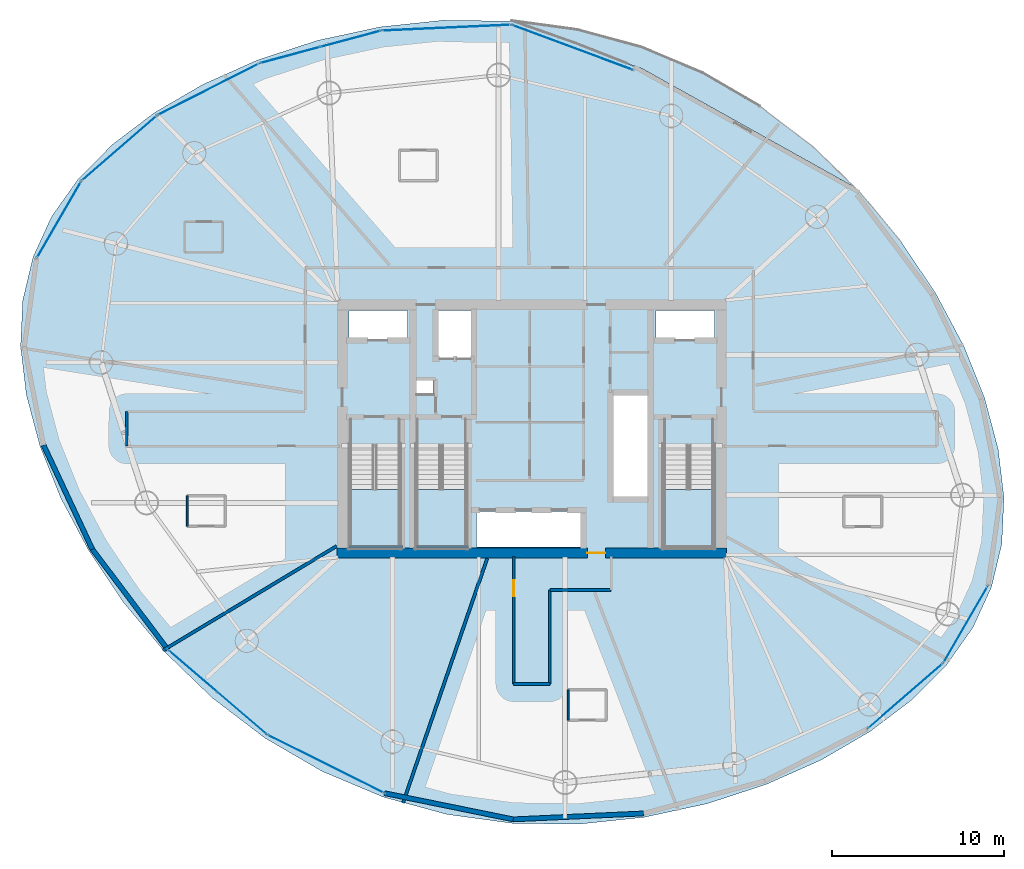
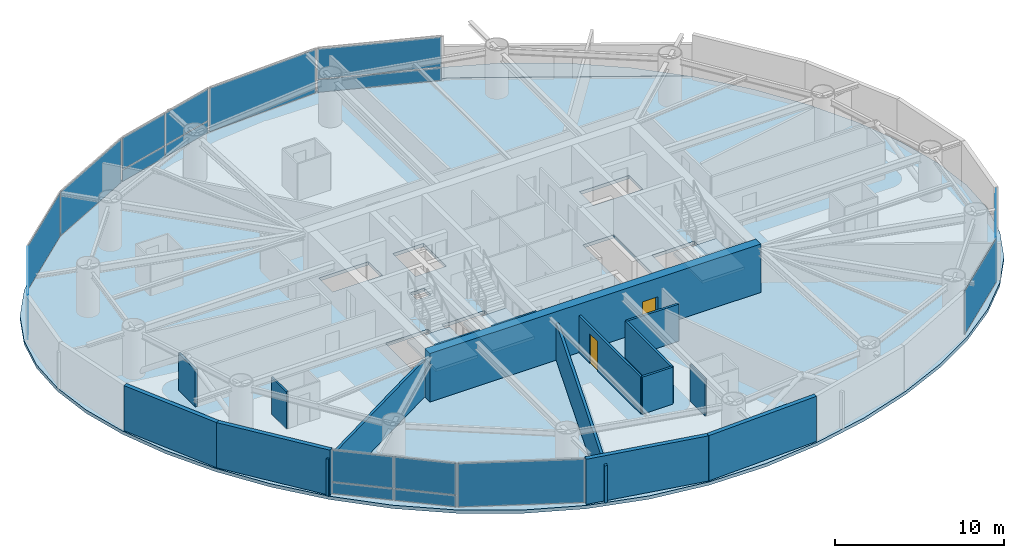
# One storey, part 13 of 19: 17 plates, 16 walls, 5 slabs, 2 doors, 2 openings, 13 elements without a shape of their own.
"""IFC4 building model written with IfcOpenShell, lengths in metres."""

from ifc_helpers import new_model, si_unit, direction, frame, frame_2d, origin, origin_2d, place, context, subcontext, project, spatial, polyline, rectangle, outline, extrude, material, layer, layer_set, type_object, element, fill, aggregate, save


model = new_model("IFC4")

# Units and contexts
model_context = context("Model", 3, precision=1e-05, world=origin(), true_north=direction((0.0, 1.0)))
body_context = subcontext(model_context, "Body", "Model", "MODEL_VIEW")
ifc_project = project(units=[si_unit("LENGTHUNIT", "METRE"), si_unit("AREAUNIT", "SQUARE_METRE"), si_unit("VOLUMEUNIT", "CUBIC_METRE"), si_unit("PLANEANGLEUNIT", "RADIAN"), si_unit("MASSUNIT", "GRAM", prefix="KILO")], contexts=[model_context])

# Site, building, storey
site_placement = place(None, origin())
site = spatial("IfcSite", under=ifc_project, at=site_placement, CompositionType="ELEMENT")
building_placement = place(site_placement, origin())
building = spatial("IfcBuilding", under=site, at=building_placement, Name="Bramvorn Convention Spire", CompositionType="ELEMENT")
storey_placement = place(building_placement, frame((0.0, 0.0, 109.800048828125)))
storey = spatial("IfcBuildingStorey", under=building, at=storey_placement, Name="L26", CompositionType="ELEMENT", Elevation=109.800048828125)

# Curtain wall, plate
ifc_material_1 = material(Name="Anodised Bronze Unitised Curtain Wall", Category="aluminium")
ifc_layer_1 = layer(ifc_material_1, 0.179931640625)
ifc_layer_set_1 = layer_set([ifc_layer_1], Name="Anodised Bronze Unitised Curtain Wall - CW-HTL-FRIT")
curtain_wall_type_1 = type_object("IfcCurtainWallType", Name="CW-HTL-FRIT", PredefinedType="USERDEFINED", material=ifc_layer_set_1)
curtain_wall_1_placement = place(storey_placement, origin())
curtain_wall_1 = element("IfcCurtainWall", 1, at=curtain_wall_1_placement, inside=storey, type_object=curtain_wall_type_1, Name="L26 fritted glass curtain wall 08", ObjectType="UNITISED CURTAIN WALL", PredefinedType="USERDEFINED")
ifc_material_2 = material(Name="Laminated Low-E Glass (Triple IGU Tapered Ceramic Frit 40%)", Category="glass")
ifc_layer_2 = layer(ifc_material_2, 0.0380859375)
ifc_layer_set_2 = layer_set([ifc_layer_2], Name="Laminated Low-E Glass (Triple IGU Tapered Ceramic Frit 40%) - PNL-IGU-2")
plate_type_1 = type_object("IfcPlateType", Name="PNL-IGU-2", PredefinedType="CURTAIN_PANEL", material=ifc_layer_set_2)
plate_1_placement = place(storey_placement, frame((33.0322265625, 49.26416015625, 0.06005859375), z_axis=(0.0, 0.0, 1.0), x_axis=(0.998970935948, 0.045354923993, 0.0)))
plate_1 = element("IfcPlate", 2, at=plate_1_placement, type_object=plate_type_1, Name="CW2 panel 1.1", PredefinedType="CURTAIN_PANEL", context=body_context, shape_type="SweptSolid", body=[
    extrude(rectangle(XDim=7.44921875, YDim=0.028076171875, at=origin_2d()), origin(), (0.0, 0.0, 1.0), 3.139892578125),
])
aggregate(curtain_wall_1, [plate_1])

# Curtain wall, plates
curtain_wall_2_placement = place(storey_placement, origin())
curtain_wall_2 = element("IfcCurtainWall", 3, at=curtain_wall_2_placement, inside=storey, type_object=curtain_wall_type_1, Name="L26 fritted glass curtain wall 09", ObjectType="UNITISED CURTAIN WALL", PredefinedType="USERDEFINED")
plate_2_placement = place(storey_placement, frame((23.984130859375, 47.678466796875, 0.059814453125), z_axis=(0.0, 0.0, 1.0), x_axis=(0.965810264504, 0.259249943065, 0.0)))
plate_2 = element("IfcPlate", 4, at=plate_2_placement, type_object=plate_type_1, Name="CW2 panel 1.1", PredefinedType="CURTAIN_PANEL", context=body_context, shape_type="SweptSolid", body=[
    extrude(rectangle(XDim=3.555908203125, YDim=0.028076171875, at=origin_2d()), origin(), (0.0, 0.0, 1.0), 0.81005859375),
])
plate_3_placement = place(storey_placement, frame((23.984130859375, 47.678466796875, 0.929931640625), z_axis=(0.0, 0.0, 1.0), x_axis=(0.965810264504, 0.259249943065, 0.0)))
plate_3 = element("IfcPlate", 5, at=plate_3_placement, type_object=plate_type_1, Name="CW2 panel 1.2", PredefinedType="CURTAIN_PANEL", context=body_context, shape_type="SweptSolid", body=[
    extrude(rectangle(XDim=3.555908203125, YDim=0.028076171875, at=origin_2d()), origin(), (0.0, 0.0, 1.0), 2.27001953125),
])
plate_4_placement = place(storey_placement, frame((27.476318359375, 48.615966796875, 0.059814453125), z_axis=(0.0, 0.0, 1.0), x_axis=(0.965810264504, 0.259249943065, 0.0)))
plate_4 = element("IfcPlate", 6, at=plate_4_placement, type_object=plate_type_1, Name="CW2 panel 2.1", PredefinedType="CURTAIN_PANEL", context=body_context, shape_type="SweptSolid", body=[
    extrude(rectangle(XDim=3.555908203125, YDim=0.028076171875, at=origin_2d()), origin(), (0.0, 0.0, 1.0), 0.81005859375),
])
plate_5_placement = place(storey_placement, frame((27.476318359375, 48.615966796875, 0.929931640625), z_axis=(0.0, 0.0, 1.0), x_axis=(0.965810264504, 0.259249943065, 0.0)))
plate_5 = element("IfcPlate", 7, at=plate_5_placement, type_object=plate_type_1, Name="CW2 panel 2.2", PredefinedType="CURTAIN_PANEL", context=body_context, shape_type="SweptSolid", body=[
    extrude(rectangle(XDim=3.555908203125, YDim=0.028076171875, at=origin_2d()), origin(), (0.0, 0.0, 1.0), 2.27001953125),
])
aggregate(curtain_wall_2, [plate_2, plate_3, plate_4, plate_5])

# Curtain wall, plate
curtain_wall_3_placement = place(storey_placement, origin())
curtain_wall_3 = element("IfcCurtainWall", 8, at=curtain_wall_3_placement, inside=storey, type_object=curtain_wall_type_1, Name="L26 fritted glass curtain wall 10", ObjectType="UNITISED CURTAIN WALL", PredefinedType="USERDEFINED")
plate_6_placement = place(storey_placement, frame((19.2373046875, 45.693603515625, 0.06005859375), z_axis=(0.0, 0.0, 1.0), x_axis=(0.891692017569, 0.452642624821, 0.0)))
plate_6 = element("IfcPlate", 9, at=plate_6_placement, type_object=plate_type_1, Name="CW2 panel 1.1", PredefinedType="CURTAIN_PANEL", context=body_context, shape_type="SweptSolid", body=[
    extrude(rectangle(XDim=6.545166015625, YDim=0.028076171875, at=origin_2d()), origin(), (0.0, 0.0, 1.0), 3.139892578125),
])
aggregate(curtain_wall_3, [plate_6])

curtain_wall_4_placement = place(storey_placement, origin())
curtain_wall_4 = element("IfcCurtainWall", 10, at=curtain_wall_4_placement, inside=storey, type_object=curtain_wall_type_1, Name="L26 fritted glass curtain wall 11", ObjectType="UNITISED CURTAIN WALL", PredefinedType="USERDEFINED")
plate_7_placement = place(storey_placement, frame((14.067138671875, 42.276611328125, 0.06005859375), z_axis=(0.0, 0.0, 1.0), x_axis=(0.755195309894, 0.655499842803, 0.0)))
plate_7 = element("IfcPlate", 11, at=plate_7_placement, type_object=plate_type_1, Name="CW2 panel 1.1", PredefinedType="CURTAIN_PANEL", context=body_context, shape_type="SweptSolid", body=[
    extrude(rectangle(XDim=5.70263671875, YDim=0.028076171875, at=origin_2d()), origin(), (0.0, 0.0, 1.0), 3.139892578125),
])
aggregate(curtain_wall_4, [plate_7])

curtain_wall_5_placement = place(storey_placement, origin())
curtain_wall_5 = element("IfcCurtainWall", 12, at=curtain_wall_5_placement, inside=storey, type_object=curtain_wall_type_1, Name="L26 fritted glass curtain wall 12", ObjectType="UNITISED CURTAIN WALL", PredefinedType="USERDEFINED")
plate_8_placement = place(storey_placement, frame((10.57177734375, 38.129638671875, 0.06005859375), z_axis=(0.0, 0.0, 1.0), x_axis=(0.501204623191, 0.865328796292, 0.0)))
plate_8 = element("IfcPlate", 13, at=plate_8_placement, type_object=plate_type_1, Name="CW2 panel 1.1", PredefinedType="CURTAIN_PANEL", context=body_context, shape_type="SweptSolid", body=[
    extrude(rectangle(XDim=5.054443359375, YDim=0.028076171875, at=origin_2d()), origin(), (0.0, 0.0, 1.0), 3.139892578125),
])
aggregate(curtain_wall_5, [plate_8])

# Curtain wall, plates
curtain_wall_6_placement = place(storey_placement, origin())
curtain_wall_6 = element("IfcCurtainWall", 14, at=curtain_wall_6_placement, inside=storey, type_object=curtain_wall_type_1, Name="L26 fritted glass curtain wall 17", ObjectType="UNITISED CURTAIN WALL", PredefinedType="USERDEFINED")
plate_9_placement = place(storey_placement, frame((21.18798828125, 9.50439453125, 0.059814453125), z_axis=(0.0, 0.0, 1.0), x_axis=(-0.759275253518, 0.650769613147, 0.0)))
plate_9 = element("IfcPlate", 15, at=plate_9_placement, type_object=plate_type_1, Name="CW2 panel 1.1", PredefinedType="CURTAIN_PANEL", context=body_context, shape_type="SweptSolid", body=[
    extrude(rectangle(XDim=3.694580078125, YDim=0.028076171875, at=origin_2d()), origin(), (0.0, 0.0, 1.0), 0.81005859375),
])
plate_10_placement = place(storey_placement, frame((21.18798828125, 9.50439453125, 0.929931640625), z_axis=(0.0, 0.0, 1.0), x_axis=(-0.759275253518, 0.650769613147, 0.0)))
plate_10 = element("IfcPlate", 16, at=plate_10_placement, type_object=plate_type_1, Name="CW2 panel 1.2", PredefinedType="CURTAIN_PANEL", context=body_context, shape_type="SweptSolid", body=[
    extrude(rectangle(XDim=3.694580078125, YDim=0.028076171875, at=origin_2d()), origin(), (0.0, 0.0, 1.0), 2.27001953125),
])
plate_11_placement = place(storey_placement, frame((18.337158203125, 11.947998046875, 0.059814453125), z_axis=(0.0, 0.0, 1.0), x_axis=(-0.759275253518, 0.650769613147, 0.0)))
plate_11 = element("IfcPlate", 17, at=plate_11_placement, type_object=plate_type_1, Name="CW2 panel 2.1", PredefinedType="CURTAIN_PANEL", context=body_context, shape_type="SweptSolid", body=[
    extrude(rectangle(XDim=3.694580078125, YDim=0.028076171875, at=origin_2d()), origin(), (0.0, 0.0, 1.0), 0.81005859375),
])
plate_12_placement = place(storey_placement, frame((18.337158203125, 11.947998046875, 0.929931640625), z_axis=(0.0, 0.0, 1.0), x_axis=(-0.759275253518, 0.650769613147, 0.0)))
plate_12 = element("IfcPlate", 18, at=plate_12_placement, type_object=plate_type_1, Name="CW2 panel 2.2", PredefinedType="CURTAIN_PANEL", context=body_context, shape_type="SweptSolid", body=[
    extrude(rectangle(XDim=3.694580078125, YDim=0.028076171875, at=origin_2d()), origin(), (0.0, 0.0, 1.0), 2.27001953125),
])
aggregate(curtain_wall_6, [plate_9, plate_10, plate_11, plate_12])

# Curtain wall, plate
curtain_wall_7_placement = place(storey_placement, origin())
curtain_wall_7 = element("IfcCurtainWall", 19, at=curtain_wall_7_placement, inside=storey, type_object=curtain_wall_type_1, Name="L26 fritted glass curtain wall 18", ObjectType="UNITISED CURTAIN WALL", PredefinedType="USERDEFINED")
plate_13_placement = place(storey_placement, frame((26.044677734375, 6.56396484375, 0.06005859375), z_axis=(0.0, 0.0, 1.0), x_axis=(-0.89494905976, 0.446168331949, 0.0)))
plate_13 = element("IfcPlate", 20, at=plate_13_placement, type_object=plate_type_1, Name="CW2 panel 1.1", PredefinedType="CURTAIN_PANEL", context=body_context, shape_type="SweptSolid", body=[
    extrude(rectangle(XDim=7.49755859375, YDim=0.028076171875, at=origin_2d()), origin(), (0.0, 0.0, 1.0), 3.139892578125),
])
aggregate(curtain_wall_7, [plate_13])

curtain_wall_8_placement = place(storey_placement, origin())
curtain_wall_8 = element("IfcCurtainWall", 21, at=curtain_wall_8_placement, inside=storey, type_object=curtain_wall_type_1, Name="L26 fritted glass curtain wall 23", ObjectType="UNITISED CURTAIN WALL", PredefinedType="USERDEFINED")
plate_14_placement = place(storey_placement, frame((59.66357421875, 10.504638671875, 0.06005859375), z_axis=(0.0, 0.0, 1.0), x_axis=(-0.755186808229, -0.655509637364, 0.0)))
plate_14 = element("IfcPlate", 22, at=plate_14_placement, type_object=plate_type_1, Name="CW2 panel 1.1", PredefinedType="CURTAIN_PANEL", context=body_context, shape_type="SweptSolid", body=[
    extrude(rectangle(XDim=5.702880859375, YDim=0.028076171875, at=origin_2d()), origin(), (0.0, 0.0, 1.0), 3.139892578125),
])
aggregate(curtain_wall_8, [plate_14])

curtain_wall_9_placement = place(storey_placement, origin())
curtain_wall_9 = element("IfcCurtainWall", 23, at=curtain_wall_9_placement, inside=storey, type_object=curtain_wall_type_1, Name="L26 fritted glass curtain wall 24", ObjectType="UNITISED CURTAIN WALL", PredefinedType="USERDEFINED")
plate_15_placement = place(storey_placement, frame((63.158935546875, 14.65185546875, 0.06005859375), z_axis=(0.0, 0.0, 1.0), x_axis=(-0.501190151659, -0.865337178145, 0.0)))
plate_15 = element("IfcPlate", 24, at=plate_15_placement, type_object=plate_type_1, Name="CW2 panel 1.1", PredefinedType="CURTAIN_PANEL", context=body_context, shape_type="SweptSolid", body=[
    extrude(rectangle(XDim=5.05419921875, YDim=0.028076171875, at=origin_2d()), origin(), (0.0, 0.0, 1.0), 3.139892578125),
])
aggregate(curtain_wall_9, [plate_15])

# Curtain wall, plates
ifc_layer_3 = layer(ifc_material_1, 0.219970703125)
ifc_layer_set_3 = layer_set([ifc_layer_3], Name="Anodised Bronze Unitised Curtain Wall - CW-SKYGARDEN")
curtain_wall_type_2 = type_object("IfcCurtainWallType", Name="CW-SKYGARDEN", PredefinedType="USERDEFINED", material=ifc_layer_set_3)
curtain_wall_10_placement = place(storey_placement, origin())
curtain_wall_10 = element("IfcCurtainWall", 25, at=curtain_wall_10_placement, inside=storey, type_object=curtain_wall_type_2, Name="L26 Sky Garden glazed facade 07", ObjectType="WINTER GARDEN GLAZING", PredefinedType="USERDEFINED")
ifc_material_3 = material(Name="Laminated Low-E Glass (Acoustic Laminated Podium Triple IGU)", Category="glass")
ifc_layer_4 = layer(ifc_material_3, 0.0458984375)
ifc_layer_set_4 = layer_set([ifc_layer_4], Name="Laminated Low-E Glass (Acoustic Laminated Podium Triple IGU) - PNL-IGU-5")
plate_type_2 = type_object("IfcPlateType", Name="PNL-IGU-5", PredefinedType="CURTAIN_PANEL", material=ifc_layer_set_4)
plate_16_placement = place(storey_placement, frame((40.353515625, 48.119384765625, 0.06005859375), z_axis=(0.0, 0.0, 1.0), x_axis=(0.937322526077, -0.348463028324, 0.0)))
plate_16 = element("IfcPlate", 26, at=plate_16_placement, type_object=plate_type_2, Name="CW4 panel 1.1", PredefinedType="CURTAIN_PANEL", context=body_context, shape_type="SweptSolid", body=[
    extrude(rectangle(XDim=7.4345703125, YDim=0.028076171875, at=origin_2d()), origin(), (0.0, 0.0, 1.0), 0.909912109375),
])
plate_17_placement = place(storey_placement, frame((40.353515625, 48.119384765625, 1.030029296875), z_axis=(0.0, 0.0, 1.0), x_axis=(0.937322526077, -0.348463028324, 0.0)))
plate_17 = element("IfcPlate", 27, at=plate_17_placement, type_object=plate_type_2, Name="CW4 panel 1.2", PredefinedType="CURTAIN_PANEL", context=body_context, shape_type="SweptSolid", body=[
    extrude(rectangle(XDim=7.4345703125, YDim=0.028076171875, at=origin_2d()), origin(), (0.0, 0.0, 1.0), 2.169921875),
])
aggregate(curtain_wall_10, [plate_16, plate_17])

# Slab
ifc_material_4 = material(Name="Concrete C40/50 Sky-Garden Terrace Slab", Category="concrete")
ifc_layer_5 = layer(ifc_material_4, 0.260009765625)
ifc_layer_set_5 = layer_set([ifc_layer_5], Name="Concrete C40/50 Sky-Garden Terrace Slab - SLB-SKYGARDEN-260")
slab_type_1 = type_object("IfcSlabType", Name="SLB-SKYGARDEN-260", PredefinedType="FLOOR", material=ifc_layer_set_5)
slab_1_placement = place(storey_placement, frame((0.0, 0.0, -0.260009765625)))
element("IfcSlab", 28, at=slab_1_placement, inside=storey, type_object=slab_type_1, Name="L26 planted double-height Sky Garden terrace slab", PredefinedType="FLOOR", context=body_context, shape_type="SweptSolid", body=[
    extrude(outline(polyline([(36.8330078125, 49.669189453125), (40.512939453125, 48.37646484375), (43.511962890625, 47.19580078125), (44.394775390625, 46.889892578125), (56.75439453125, 39.990966796875), (54.2724609375, 42.38671875), (51.222412109375, 44.71435546875), (47.900390625, 46.651611328125), (44.354736328125, 48.141357421875), (40.6435546875, 49.150146484375), (36.8330078125, 49.669189453125)])), origin(), (0.0, 0.0, 1.0), 0.260009765625),
])

# Stair, slab
ifc_material_5 = material(Name="Concrete C40/50 Precast Stair", Category="concrete")
stair_type = type_object("IfcStairType", Name="ST-TOWER-1550", PredefinedType="HALF_TURN_STAIR", material=ifc_material_5)
stair_1_placement = place(storey_placement, origin())
stair_1 = element("IfcStair", 29, at=stair_1_placement, inside=storey, type_object=stair_type, Name="L26 Protected Exit Stair ST1", PredefinedType="HALF_TURN_STAIR")
ifc_material_6 = material(Name="Concrete C40/50 Stair Landing", Category="concrete")
ifc_layer_6 = layer(ifc_material_6, 0.219970703125)
ifc_layer_set_6 = layer_set([ifc_layer_6], Name="Concrete C40/50 Stair Landing - SLB-STAIR-LANDING")
slab_type_2 = type_object("IfcSlabType", Name="SLB-STAIR-LANDING", PredefinedType="LANDING", material=ifc_layer_set_6)
slab_2_placement = place(storey_placement, frame((0.0, 0.0, 1.550048828125)))
slab_2 = element("IfcSlab", 30, at=slab_2_placement, type_object=slab_type_2, Name="ST1 landing 1", PredefinedType="LANDING", context=body_context, shape_type="SweptSolid", body=[
    extrude(outline(polyline([(27.449951171875, 22.485107421875), (27.449951171875, 19.10009765625), (30.35009765625, 19.10009765625), (30.35009765625, 22.485107421875), (27.449951171875, 22.485107421875)])), origin(), (0.0, 0.0, 1.0), 0.199951171875),
])
aggregate(stair_1, [slab_2])

stair_2_placement = place(storey_placement, origin())
stair_2 = element("IfcStair", 31, at=stair_2_placement, inside=storey, type_object=stair_type, Name="L26 Protected Exit Stair ST2", PredefinedType="HALF_TURN_STAIR")
slab_3_placement = place(storey_placement, frame((0.0, 0.0, 1.550048828125)))
slab_3 = element("IfcSlab", 32, at=slab_3_placement, type_object=slab_type_2, Name="ST2 landing 1", PredefinedType="LANDING", context=body_context, shape_type="SweptSolid", body=[
    extrude(outline(polyline([(45.64990234375, 22.485107421875), (45.64990234375, 19.10009765625), (48.550048828125, 19.10009765625), (48.550048828125, 22.485107421875), (45.64990234375, 22.485107421875)])), origin(), (0.0, 0.0, 1.0), 0.199951171875),
])
aggregate(stair_2, [slab_3])

stair_3_placement = place(storey_placement, origin())
stair_3 = element("IfcStair", 33, at=stair_3_placement, inside=storey, type_object=stair_type, Name="L26 Protected Exit Stair ST3", PredefinedType="HALF_TURN_STAIR")
slab_4_placement = place(storey_placement, frame((0.0, 0.0, 1.550048828125)))
slab_4 = element("IfcSlab", 34, at=slab_4_placement, type_object=slab_type_2, Name="ST3 landing 1", PredefinedType="LANDING", context=body_context, shape_type="SweptSolid", body=[
    extrude(outline(polyline([(31.300048828125, 22.485107421875), (31.300048828125, 19.10009765625), (34.199951171875, 19.10009765625), (34.199951171875, 22.485107421875), (31.300048828125, 22.485107421875)])), origin(), (0.0, 0.0, 1.0), 0.199951171875),
])
aggregate(stair_3, [slab_4])

# Slab
ifc_material_7 = material(Name="Concrete C50/60", Category="concrete")
ifc_layer_7 = layer(ifc_material_7, 0.239990234375)
ifc_layer_set_7 = layer_set([ifc_layer_7], Name="Concrete C50/60 - SLB-Z2-240")
slab_type_3 = type_object("IfcSlabType", Name="SLB-Z2-240", PredefinedType="FLOOR", material=ifc_layer_set_7)
slab_5_placement = place(storey_placement, frame((0.0, 0.0, -0.239990234375)))
element("IfcSlab", 35, at=slab_5_placement, inside=storey, type_object=slab_type_3, Name="L26 tower floor slab", PredefinedType="FLOOR", context=body_context, shape_type="SweptSolid", body=[
    extrude(outline(polyline([(63.590576171875, 14.475341796875), (62.0458984375, 12.293701171875), (60.0439453125, 10.276611328125), (57.61083984375, 8.434326171875), (54.78515625, 6.79052734375), (51.6181640625, 5.381591796875), (48.17236328125, 4.255126953125), (44.518798828125, 3.4658203125), (40.734130859375, 3.068603515625), (36.897705078125, 3.1123046875), (33.087158203125, 3.631103515625), (29.3759765625, 4.639892578125), (25.830322265625, 6.1298828125), (22.50830078125, 8.06689453125), (19.458251953125, 10.39453125), (16.720458984375, 13.03759765625), (14.327392578125, 15.908935546875), (12.305419921875, 18.918212890625), (10.677490234375, 21.97802734375), (9.462890625, 25.012939453125), (8.679443359375, 27.962646484375), (8.343994140625, 30.784912109375), (8.4697265625, 33.454833984375), (9.067138671875, 35.96240234375), (10.14013671875, 38.30615234375), (11.684814453125, 40.487548828125), (13.686767578125, 42.5048828125), (16.1201171875, 44.346923828125), (18.94580078125, 45.99072265625), (22.112548828125, 47.399658203125), (25.558349609375, 48.526123046875), (29.2119140625, 49.3154296875), (32.99658203125, 49.712646484375), (33.0166015625, 49.71240234375), (32.996337890625, 49.692626953125), (36.82958984375, 49.649169921875), (40.509521484375, 48.3671875), (43.96337890625, 47.00732421875), (44.390869140625, 46.880615234375), (56.782470703125, 39.9638671875), (57.01025390625, 39.743896484375), (59.4033203125, 36.872314453125), (61.42529296875, 33.86328125), (63.05322265625, 30.80322265625), (64.26806640625, 27.768310546875), (65.05126953125, 24.818603515625), (65.386962890625, 21.99658203125), (65.260986328125, 19.326416015625), (64.66357421875, 16.819091796875), (63.590576171875, 14.475341796875)]), holes=[polyline([(27.449951171875, 25.050048828125), (27.449951171875, 19.10009765625), (30.35009765625, 19.10009765625), (30.35009765625, 25.050048828125), (27.449951171875, 25.050048828125)]), polyline([(45.64990234375, 25.050048828125), (45.64990234375, 19.10009765625), (48.550048828125, 19.10009765625), (48.550048828125, 25.050048828125), (45.64990234375, 25.050048828125)]), polyline([(31.300048828125, 25.050048828125), (31.300048828125, 19.10009765625), (34.199951171875, 19.10009765625), (34.199951171875, 25.050048828125), (31.300048828125, 25.050048828125)]), polyline([(27.39990234375, 31.219970703125), (30.800048828125, 31.219970703125), (30.800048828125, 32.85009765625), (27.39990234375, 32.85009765625), (27.39990234375, 31.219970703125)]), polyline([(45.199951171875, 31.219970703125), (48.60009765625, 31.219970703125), (48.60009765625, 32.85009765625), (45.199951171875, 32.85009765625), (45.199951171875, 31.219970703125)]), polyline([(32.449951171875, 30.14990234375), (34.56005859375, 30.14990234375), (34.56005859375, 32.85009765625), (32.449951171875, 32.85009765625), (32.449951171875, 30.14990234375)]), polyline([(34.800048828125, 19.14990234375), (40.97998046875, 19.14990234375), (40.97998046875, 21.199951171875), (34.800048828125, 21.199951171875), (34.800048828125, 19.14990234375)]), polyline([(42.6201171875, 22.0), (44.75, 22.0), (44.75, 28.0), (42.6201171875, 28.0), (42.6201171875, 22.0)]), polyline([(31.320068359375, 28.02001953125), (32.280029296875, 28.02001953125), (32.280029296875, 28.820068359375), (31.320068359375, 28.820068359375), (31.320068359375, 28.02001953125)])]), origin(), (0.0, 0.0, 1.0), 0.239990234375),
])

# Wall, opening, door
ifc_material_8 = material(Name="Concrete C60/70", Category="concrete")
ifc_layer_8 = layer(ifc_material_8, 0.60009765625)
ifc_layer_set_8 = layer_set([ifc_layer_8], Name="Concrete C60/70 - WL-CORE-600")
wall_type_1 = type_object("IfcWallType", Name="WL-CORE-600", PredefinedType="SHEAR", material=ifc_layer_set_8)
wall_1_placement = place(storey_placement, frame((26.699951171875, 18.800048828125, 0.0), z_axis=(0.0, 0.0, 1.0), x_axis=(1.0, 0.0, 0.0)))
wall_1 = element("IfcWall", 36, at=wall_1_placement, inside=storey, type_object=wall_type_1, Name="L26 South RC core shear wall", PredefinedType="SHEAR", context=body_context, shape_type="SweptSolid", body=[
    extrude(rectangle(XDim=22.60009765625, YDim=0.60009765625, at=frame_2d((11.300048828125, 0.0))), origin(), (0.0, 0.0, 1.0), 3.5),
])
opening_1_placement = place(wall_1_placement, frame((14.52001953125, 0.0, 0.0)))
opening_1 = element("IfcOpeningElement", 37, at=opening_1_placement, cuts=wall_1, Name="Opening DL-105", PredefinedType="OPENING", context=body_context, shape_type="SweptSolid", body=[
    extrude(rectangle(XDim=1.050048828125, YDim=2.14990234375, at=frame_2d((0.52490234375, 1.074951171875))), frame((0.0, 0.31005859375, 0.0), z_axis=(0.0, -1.0, 0.0), x_axis=(1.0, 0.0, 0.0)), (0.0, 0.0, 1.0), 0.6201171875),
])
ifc_material_9 = material(Name="Smoke-Sealed Fire Lobby Timber-Core Door", Category="wood")
door_type_1 = type_object("IfcDoorType", Name="DR-LOBBY-1050", OperationType="NOTDEFINED", PredefinedType="DOOR", material=ifc_material_9)
door_1_placement = place(opening_1_placement, origin())
door_1 = element("IfcDoor", 38, at=door_1_placement, inside=storey, type_object=door_type_1, Name="L26 South Lift Lobby fire door", OperationType="SINGLE_SWING_RIGHT", OverallHeight=2.14990234375, OverallWidth=1.050048828125, PredefinedType="DOOR", context=body_context, shape_type="SweptSolid", body=[
    extrude(rectangle(XDim=1.050048828125, YDim=2.14990234375, at=frame_2d((0.52490234375, 1.074951171875))), frame((0.0, 0.02490234375, 0.0), z_axis=(0.0, -1.0, 0.0), x_axis=(1.0, 0.0, 0.0)), (0.0, 0.0, 1.0), 0.050048828125),
])
fill(opening_1, door_1)

# Walls
ifc_material_10 = material(Name="Precast Concrete C40/50 with Bronze Terracotta Rainscreen", Category="masonry")
ifc_layer_9 = layer(ifc_material_10, 0.300048828125)
ifc_layer_set_9 = layer_set([ifc_layer_9], Name="Precast Concrete C40/50 with Bronze Terracotta Rainscreen - WL-EXT-BRONZE-300")
wall_type_2 = type_object("IfcWallType", Name="WL-EXT-BRONZE-300", PredefinedType="SOLIDWALL", material=ifc_layer_set_9)
wall_2_placement = place(storey_placement, frame((12.50341796875, 19.014404296875, 0.0), z_axis=(0.0, 0.0, 1.0), x_axis=(-0.424018095965, 0.905653716546, 0.0)))
element("IfcWall", 39, at=wall_2_placement, inside=storey, type_object=wall_type_2, Name="L26 expressed bronze Gothic lancet pier wall 15", PredefinedType="SOLIDWALL", context=body_context, shape_type="SweptSolid", body=[
    extrude(rectangle(XDim=6.665283203125, YDim=0.280029296875, at=frame_2d((3.33251953125, 0.0))), origin(), (0.0, 0.0, 1.0), 3.260009765625),
])
wall_3_placement = place(storey_placement, frame((16.888916015625, 13.189208984375, 0.0), z_axis=(0.0, 0.0, 1.0), x_axis=(-0.601456187388, 0.798905785842, 0.0)))
element("IfcWall", 40, at=wall_3_placement, inside=storey, type_object=wall_type_2, Name="L26 expressed bronze Gothic lancet pier wall 16", PredefinedType="SOLIDWALL", context=body_context, shape_type="SweptSolid", body=[
    extrude(rectangle(XDim=7.29150390625, YDim=0.280029296875, at=frame_2d((3.645751953125, 0.0))), origin(), (0.0, 0.0, 1.0), 3.260009765625),
])
wall_4_placement = place(storey_placement, frame((36.917724609375, 3.345703125, 0.0), z_axis=(0.0, 0.0, 1.0), x_axis=(-0.979920638138, 0.199387920778, 0.0)))
element("IfcWall", 41, at=wall_4_placement, inside=storey, type_object=wall_type_2, Name="L26 expressed bronze Gothic lancet pier wall 19", PredefinedType="SOLIDWALL", context=body_context, shape_type="SweptSolid", body=[
    extrude(rectangle(XDim=7.6171875, YDim=0.280029296875, at=frame_2d((3.80859375, 0.0))), origin(), (0.0, 0.0, 1.0), 3.260009765625),
])
wall_5_placement = place(storey_placement, frame((44.479248046875, 3.68896484375, 0.0), z_axis=(0.0, 0.0, 1.0), x_axis=(-0.998971198621, -0.045349138101, 0.0)))
element("IfcWall", 42, at=wall_5_placement, inside=storey, type_object=wall_type_2, Name="L26 expressed bronze Gothic lancet pier wall 20", PredefinedType="SOLIDWALL", context=body_context, shape_type="SweptSolid", body=[
    extrude(rectangle(XDim=7.5693359375, YDim=0.280029296875, at=frame_2d((3.78466796875, 0.0))), origin(), (0.0, 0.0, 1.0), 3.260009765625),
])
ifc_material_11 = material(Name="Lightweight En-Suite & Wet-Wall Partition", Category="gypsum")
ifc_layer_10 = layer(ifc_material_11, 0.110107421875)
ifc_layer_set_10 = layer_set([ifc_layer_10], Name="Lightweight En-Suite & Wet-Wall Partition - WL-PART-110")
wall_type_3 = type_object("IfcWallType", Name="WL-PART-110", PredefinedType="PARTITIONING", material=ifc_layer_set_10)
for number, where, z_axis, x_axis, name in (
    (43, (18.013427734375, 20.347412109375, 0.0), (0.0, 0.0, 1.0), (0.0, 1.0, 0.0), "Hotel Suite 2605 en-suite west wall"),
    (44, (40.10888671875, 9.101806640625, 0.0), (0.0, 0.0, 1.0), (0.0, 1.0, 0.0), "Hotel Suite 2607 en-suite west wall"),
):
    element("IfcWall", number, at=place(storey_placement, frame(where, z_axis=z_axis, x_axis=x_axis)), inside=storey, type_object=wall_type_3, Name=name, PredefinedType="PARTITIONING", context=body_context, shape_type="SweptSolid", body=[
        extrude(rectangle(XDim=1.760009765625, YDim=0.110107421875, at=frame_2d((0.8798828125, 0.0))), origin(), (0.0, 0.0, 1.0), 2.675048828125),
    ])
ifc_material_12 = material(Name="Acoustic Metal-Stud Tenant/Corridor Partition", Category="gypsum")
ifc_layer_11 = layer(ifc_material_12, 0.14990234375)
ifc_layer_set_11 = layer_set([ifc_layer_11], Name="Acoustic Metal-Stud Tenant/Corridor Partition - WL-PART-150")
wall_type_4 = type_object("IfcWallType", Name="WL-PART-150", PredefinedType="PARTITIONING", material=ifc_layer_set_11)
wall_6_placement = place(storey_placement, frame((14.5, 25.0, 0.0), z_axis=(0.0, 0.0, 1.0), x_axis=(0.0, 1.0, 0.0)))
element("IfcWall", 45, at=wall_6_placement, inside=storey, type_object=wall_type_4, Name="L26 West wing spine end wall", PredefinedType="PARTITIONING", context=body_context, shape_type="SweptSolid", body=[
    extrude(rectangle(XDim=2.0, YDim=0.14990234375, at=frame_2d((1.0, 0.0))), origin(), (0.0, 0.0, 1.0), 2.675048828125),
])

# Wall, opening, door
wall_7_placement = place(storey_placement, frame((36.949951171875, 11.199951171875, 0.0), z_axis=(0.0, 0.0, 1.0), x_axis=(0.0, 1.0, 0.0)))
wall_7 = element("IfcWall", 46, at=wall_7_placement, inside=storey, type_object=wall_type_4, Name="L26 South axial spine west wall", PredefinedType="PARTITIONING", context=body_context, shape_type="SweptSolid", body=[
    extrude(rectangle(XDim=7.400146484375, YDim=0.14990234375, at=frame_2d((3.7001953125, 0.0))), origin(), (0.0, 0.0, 1.0), 2.675048828125),
])
opening_2_placement = place(wall_7_placement, frame((5.074951171875, 0.0, 0.0)))
opening_2 = element("IfcOpeningElement", 47, at=opening_2_placement, cuts=wall_7, Name="Opening DH-095", PredefinedType="OPENING", context=body_context, shape_type="SweptSolid", body=[
    extrude(rectangle(XDim=0.949951171875, YDim=2.14990234375, at=frame_2d((0.47509765625, 1.074951171875))), frame((0.0, 0.0849609375, 0.0), z_axis=(0.0, -1.0, 0.0), x_axis=(1.0, 0.0, 0.0)), (0.0, 0.0, 1.0), 0.169921875),
])
ifc_material_13 = material(Name="Solid-Core Acoustic Guestroom Entry Door", Category="wood")
door_type_2 = type_object("IfcDoorType", Name="DR-HOTEL-950", OperationType="NOTDEFINED", PredefinedType="DOOR", material=ifc_material_13)
door_2_placement = place(opening_2_placement, origin())
door_2 = element("IfcDoor", 48, at=door_2_placement, inside=storey, type_object=door_type_2, Name="Hotel Suite 2607 entry door", OperationType="SINGLE_SWING_RIGHT", OverallHeight=2.14990234375, OverallWidth=0.949951171875, PredefinedType="DOOR", context=body_context, shape_type="SweptSolid", body=[
    extrude(rectangle(XDim=0.949951171875, YDim=2.14990234375, at=frame_2d((0.47509765625, 1.074951171875))), frame((0.0, 0.02490234375, 0.0), z_axis=(0.0, -1.0, 0.0), x_axis=(1.0, 0.0, 0.0)), (0.0, 0.0, 1.0), 0.050048828125),
])
fill(opening_2, door_2)

# Walls
wall_8_placement = place(storey_placement, frame((39.050048828125, 11.199951171875, 0.0), z_axis=(0.0, 0.0, 1.0), x_axis=(0.0, 1.0, 0.0)))
element("IfcWall", 49, at=wall_8_placement, inside=storey, type_object=wall_type_4, Name="L26 South axial spine east wall", PredefinedType="PARTITIONING", context=body_context, shape_type="SweptSolid", body=[
    extrude(rectangle(XDim=5.449951171875, YDim=0.14990234375, at=frame_2d((2.72509765625, 0.0))), origin(), (0.0, 0.0, 1.0), 2.675048828125),
])
wall_9_placement = place(storey_placement, frame((39.050048828125, 16.64990234375, 0.0), z_axis=(0.0, 0.0, 1.0), x_axis=(1.0, 0.0, 0.0)))
element("IfcWall", 50, at=wall_9_placement, inside=storey, type_object=wall_type_4, Name="L26 South lift lobby link wall", PredefinedType="PARTITIONING", context=body_context, shape_type="SweptSolid", body=[
    extrude(rectangle(XDim=3.550048828125, YDim=0.14990234375, at=frame_2d((1.77490234375, 0.0))), origin(), (0.0, 0.0, 1.0), 2.675048828125),
])
wall_10_placement = place(storey_placement, frame((36.949951171875, 11.199951171875, 0.0), z_axis=(0.0, 0.0, 1.0), x_axis=(1.0, 0.0, 0.0)))
element("IfcWall", 51, at=wall_10_placement, inside=storey, type_object=wall_type_4, Name="L26 South axial spine end wall", PredefinedType="PARTITIONING", context=body_context, shape_type="SweptSolid", body=[
    extrude(rectangle(XDim=2.10009765625, YDim=0.14990234375, at=frame_2d((1.050048828125, 0.0))), origin(), (0.0, 0.0, 1.0), 2.675048828125),
])
ifc_material_14 = material(Name="Double-Stud Acoustic Hotel/Suite Partition", Category="gypsum")
ifc_layer_12 = layer(ifc_material_14, 0.175048828125)
ifc_layer_set_12 = layer_set([ifc_layer_12], Name="Double-Stud Acoustic Hotel/Suite Partition - WL-PART-175")
wall_type_5 = type_object("IfcWallType", Name="WL-PART-175", PredefinedType="PARTITIONING", material=ifc_layer_set_12)
wall_11_placement = place(storey_placement, frame((26.679931640625, 19.1982421875, 0.0), z_axis=(0.0, 0.0, 1.0), x_axis=(-0.857163158483, -0.515044968657, 0.0)))
element("IfcWall", 52, at=wall_11_placement, inside=storey, type_object=wall_type_5, Name="L26 Guestroom demising wall 6", PredefinedType="PARTITIONING", context=body_context, shape_type="SweptSolid", body=[
    extrude(rectangle(XDim=11.7646484375, YDim=0.175048828125, at=frame_2d((5.88232421875, 0.0))), origin(), (0.0, 0.0, 1.0), 2.675048828125),
])
wall_12_placement = place(storey_placement, frame((35.41064453125, 18.47998046875, 0.0), z_axis=(0.0, 0.0, 1.0), x_axis=(-0.32557542386, -0.945516072512, 0.0)))
element("IfcWall", 53, at=wall_12_placement, inside=storey, type_object=wall_type_5, Name="L26 Guestroom demising wall 7", PredefinedType="PARTITIONING", context=body_context, shape_type="SweptSolid", body=[
    extrude(rectangle(XDim=15.00341796875, YDim=0.175048828125, at=frame_2d((7.501708984375, 0.0))), origin(), (0.0, 0.0, 1.0), 2.675048828125),
])
ifc_layer_13 = layer(ifc_material_7, 0.1201171875)
ifc_layer_set_13 = layer_set([ifc_layer_13], Name="Concrete C50/60 - WL-STAIR-RC-120")
wall_type_6 = type_object("IfcWallType", Name="WL-STAIR-RC-120", PredefinedType="SHEAR", material=ifc_layer_set_13)
wall_13_placement = place(storey_placement, frame((27.39501953125, 19.159912109375, 0.0), z_axis=(0.0, 0.0, 1.0), x_axis=(1.0, 0.0, 0.0)))
element("IfcWall", 54, at=wall_13_placement, inside=storey, type_object=wall_type_6, Name="L26 ST1 south bearing shear wall", PredefinedType="SHEAR", context=body_context, shape_type="SweptSolid", body=[
    extrude(rectangle(XDim=3.094970703125, YDim=0.1201171875, at=frame_2d((1.54736328125, 0.0))), origin(), (0.0, 0.0, 1.0), 3.5),
])
wall_14_placement = place(storey_placement, frame((31.300048828125, 19.159912109375, 0.0), z_axis=(0.0, 0.0, 1.0), x_axis=(1.0, 0.0, 0.0)))
element("IfcWall", 55, at=wall_14_placement, inside=storey, type_object=wall_type_6, Name="L26 ST3 south bearing shear wall", PredefinedType="SHEAR", context=body_context, shape_type="SweptSolid", body=[
    extrude(rectangle(XDim=3.0400390625, YDim=0.1201171875, at=frame_2d((1.52001953125, 0.0))), origin(), (0.0, 0.0, 1.0), 3.5),
])

save(model, "model.ifc")
